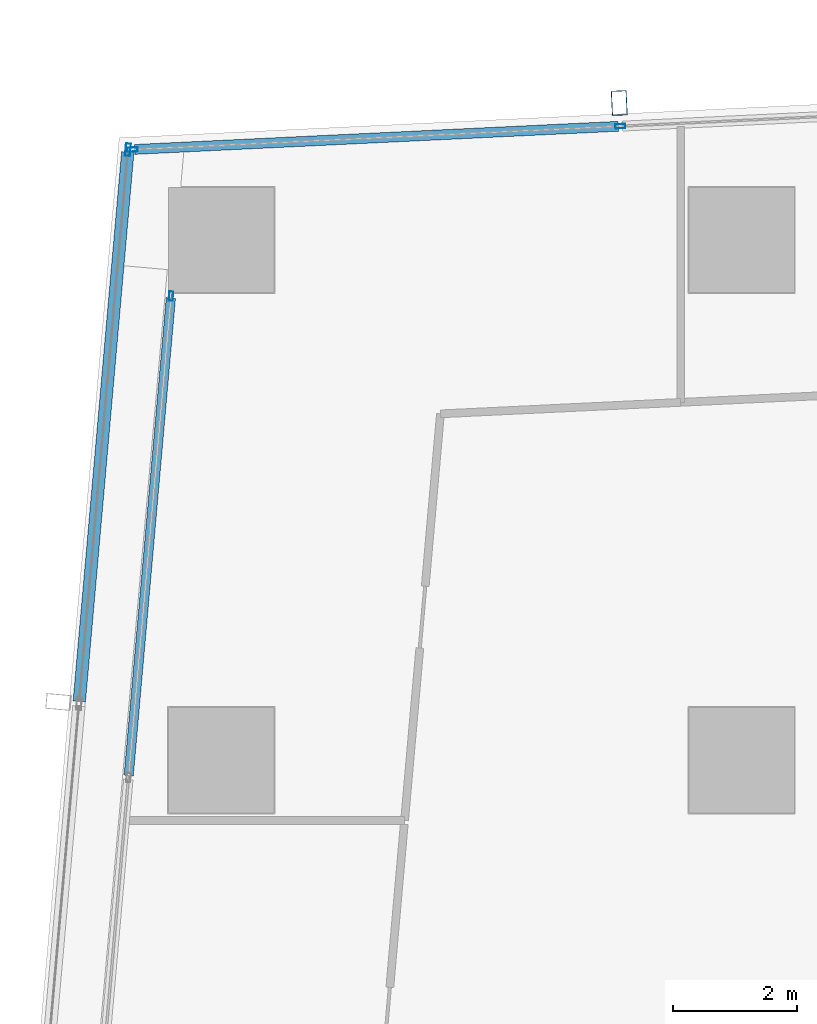
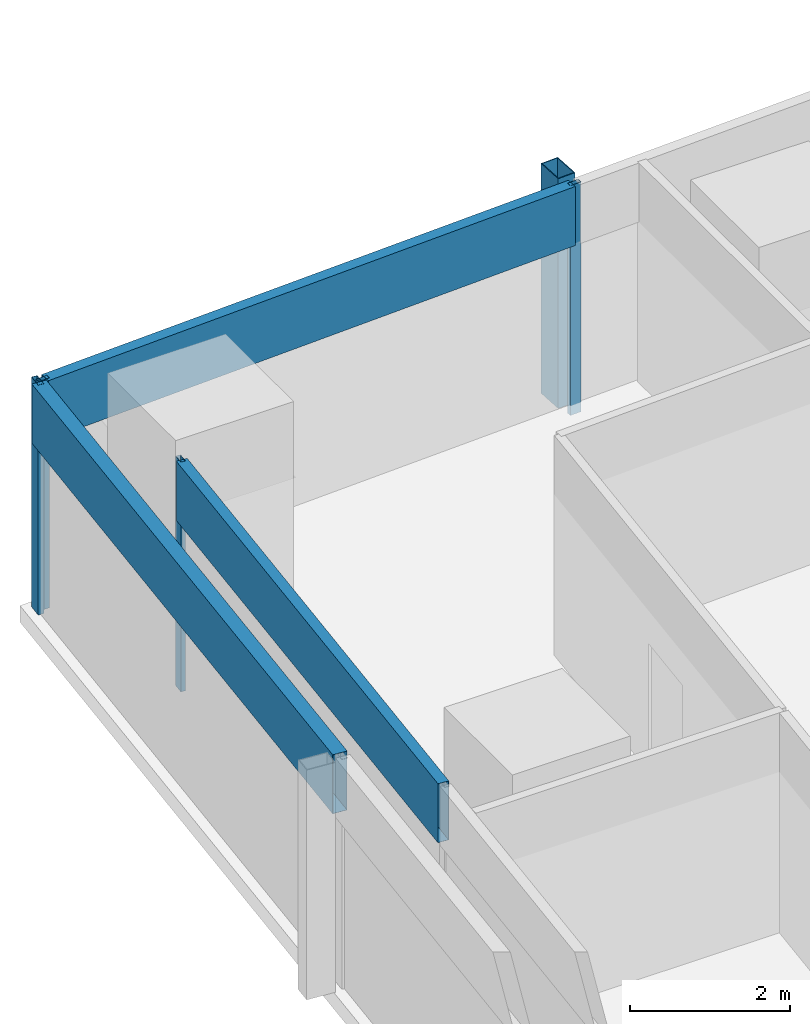
# One storey, part 17 of 39: 8 members, 3 elements without a shape of their own.
"""IFC4 building model written with IfcOpenShell, lengths in metres."""

import ifcopenshell
import ifcopenshell.guid

model = None  # the IFC model being written
_history = None  # IfcOwnerHistory: only IFC2X3 demands one
_inside = {}  # id of a spatial element -> (the spatial element, [elements in it])
_under = {}  # id of a project, library or spatial element -> (it, [spatial elements below it])
_declared = {}  # id of a project -> (the project, [libraries it declares])
_typed = {}  # id of a type object -> (the type object, [elements of that type])
_made_of = {}  # id of a material, layer set ... -> (it, [elements and type objects made of it])


def new_model(schema):
    """Start an empty IFC model of exactly this schema.

    Asked for "IFC4X3", IfcOpenShell would pick the latest addendum, in which some entities
    have other attributes; the version numbers below select the first issue.
    IFC2X3 requires an IfcOwnerHistory on every rooted entity: one is made here for all.
    """
    global model, _history
    if schema == "IFC4X3":
        model = ifcopenshell.file(schema_version=(4, 3, 0, 0))
    else:
        model = ifcopenshell.file(schema=schema)
    _inside.clear()
    _under.clear()
    _declared.clear()
    _typed.clear()
    _made_of.clear()
    _history = None
    if model.schema == "IFC2X3":
        org = make("IfcOrganization", Name="unknown")
        user = make(
            "IfcPersonAndOrganization",
            ThePerson=make("IfcPerson", FamilyName="unknown"),
            TheOrganization=org,
        )
        app = make(
            "IfcApplication",
            ApplicationDeveloper=org,
            Version="unknown",
            ApplicationFullName="unknown",
            ApplicationIdentifier="unknown",
        )
        _history = make(
            "IfcOwnerHistory",
            OwningUser=user,
            OwningApplication=app,
            ChangeAction="ADDED",
            CreationDate=0,
        )
    return model


def make(cls, **values):
    """One entity of the class cls with the attributes given. An attribute that is None is left unset."""
    return model.create_entity(
        cls, **{name: value for name, value in values.items() if value is not None}
    )


def rooted(cls, **values):
    """An entity with a GlobalId (a new one), such as an element, a storey or a relation."""
    return make(cls, GlobalId=ifcopenshell.guid.new(), OwnerHistory=_history, **values)


def si_unit(unit_type, name, prefix=None):
    """IfcSIUnit, for example si_unit("LENGTHUNIT", "METRE", prefix="MILLI")."""
    return make("IfcSIUnit", UnitType=unit_type, Prefix=prefix, Name=name)


def assignment(units):
    """IfcUnitAssignment: the units of a project."""
    return None if units is None else make("IfcUnitAssignment", Units=units)


def point(xyz):
    """IfcCartesianPoint."""
    return None if xyz is None else make("IfcCartesianPoint", Coordinates=xyz)


def direction(xyz):
    """IfcDirection."""
    return None if xyz is None else make("IfcDirection", DirectionRatios=xyz)


def frame(location, z_axis=None, x_axis=None):
    """IfcAxis2Placement3D, a coordinate frame: its origin and axes. An axis left out is left unset."""
    return make(
        "IfcAxis2Placement3D",
        Location=point(location),
        Axis=direction(z_axis),
        RefDirection=direction(x_axis),
    )


def frame_2d(location, x_axis=None):
    """IfcAxis2Placement2D, a coordinate frame in the plane: its origin and x axis."""
    return make(
        "IfcAxis2Placement2D", Location=point(location), RefDirection=direction(x_axis)
    )


def origin():
    """The frame at (0, 0, 0) with its axes left unset."""
    return frame((0.0, 0.0, 0.0))


def origin_2d():
    """The frame at (0, 0) in the plane with its x axis left unset."""
    return frame_2d((0.0, 0.0))


def place(relative_to, where):
    """IfcLocalPlacement: puts the frame where relative to a parent placement (None: the world)."""
    return make(
        "IfcLocalPlacement", PlacementRelTo=relative_to, RelativePlacement=where
    )


def context(
    kind, dimensions, precision=None, world=None, true_north=None, identifier=None
):
    """IfcGeometricRepresentationContext, for example the 3D "Model" context."""
    return make(
        "IfcGeometricRepresentationContext",
        ContextIdentifier=identifier,
        ContextType=kind,
        CoordinateSpaceDimension=dimensions,
        Precision=precision,
        WorldCoordinateSystem=world,
        TrueNorth=true_north,
    )


def subcontext(parent, identifier, kind, view, scale=None):
    """IfcGeometricRepresentationSubContext, for example "Body" below "Model"."""
    return make(
        "IfcGeometricRepresentationSubContext",
        ContextIdentifier=identifier,
        ContextType=kind,
        ParentContext=parent,
        TargetScale=scale,
        TargetView=view,
    )


def project(units=None, contexts=None):
    """IfcProject with its units and contexts."""
    return rooted(
        "IfcProject",
        Name="project",
        RepresentationContexts=contexts,
        UnitsInContext=assignment(units),
    )


def spatial(cls, under=None, at=None, **own):
    """A site, building, storey or space (cls), placed at a placement, below another one or the project."""
    s = rooted(cls, ObjectPlacement=at, **own)
    if under is not None:
        _under.setdefault(under.id(), (under, []))[1].append(s)
    return s


def profile(cls, at=None, kind="AREA", **sizes):
    """A parametric profile (cls). Its sizes go by their IFC names, for example OverallWidth=200.0."""
    return make(cls, ProfileType=kind, Position=at, **sizes)


def hollow_rectangle(**sizes):
    """IfcRectangleHollowProfileDef."""
    return profile("IfcRectangleHollowProfileDef", **sizes)


def extrude(swept, where, along, depth):
    """IfcExtrudedAreaSolid: the profile swept, set in the frame where, extruded along a direction by depth."""
    return make(
        "IfcExtrudedAreaSolid",
        SweptArea=swept,
        Position=where,
        ExtrudedDirection=direction(along),
        Depth=depth,
    )


def shape(context_of_items, identifier, shape_type, items):
    """IfcShapeRepresentation: the items that make up one representation, for example the "Body"."""
    return make(
        "IfcShapeRepresentation",
        ContextOfItems=context_of_items,
        RepresentationIdentifier=identifier,
        RepresentationType=shape_type,
        Items=items,
    )


def material(Name=None, Category=None):
    """IfcMaterial."""
    return make("IfcMaterial", Name=Name, Category=Category)


def material_profile(
    of_material, cross_section, Name=None, Category=None, Priority=None
):
    """IfcMaterialProfile: a cross section and its material."""
    return make(
        "IfcMaterialProfile",
        Name=Name,
        Material=of_material,
        Profile=cross_section,
        Priority=Priority,
        Category=Category,
    )


def profile_set(profiles, Name=None, composite=None):
    """IfcMaterialProfileSet."""
    return make(
        "IfcMaterialProfileSet",
        Name=Name,
        MaterialProfiles=profiles,
        CompositeProfile=composite,
    )


def made_of(thing, what):
    """Note that an element or type object is made of a material, layer set ...; save() writes the relation."""
    if what is not None:
        _made_of.setdefault(what.id(), (what, []))[1].append(thing)
    return thing


def type_object(cls, material=None, **own):
    """A type object (cls), such as IfcWallType, which elements share."""
    return made_of(rooted(cls, **own), material)


def element(
    cls,
    number,
    at=None,
    inside=None,
    cuts=None,
    type_object=None,
    material=None,
    context=None,
    identifier="Body",
    shape_type=None,
    held_by="IfcProductDefinitionShape",
    body=None,
    shapes=None,
    **own,
):
    """One element of the class cls, such as IfcWall. Its Tag is "e" and its number.

    at: its placement. inside: the storey or other place that contains it. cuts: it is an
    opening in that element (IfcRelVoidsElement). A single representation is given by context,
    identifier, shape_type and body (its items); several are given by shapes. held_by: the class
    of the entity that holds the representations. save() writes the other relations.
    """
    e = rooted(cls, Tag="e%d" % number, ObjectPlacement=at, **own)
    if body is not None:
        shapes = [shape(context, identifier, shape_type, body)]
    if shapes is not None:
        e.Representation = make(held_by, Representations=shapes)
    if inside is not None:
        _inside.setdefault(inside.id(), (inside, []))[1].append(e)
    if cuts is not None:
        rooted(
            "IfcRelVoidsElement", RelatingBuildingElement=cuts, RelatedOpeningElement=e
        )
    if type_object is not None:
        _typed.setdefault(type_object.id(), (type_object, []))[1].append(e)
    return made_of(e, material)


def aggregate(whole, parts):
    """IfcRelAggregates: a whole, such as a stair, and the parts it consists of."""
    return rooted("IfcRelAggregates", RelatingObject=whole, RelatedObjects=parts)


def save(model, path):
    """Write the relations noted so far, then the file.

    IfcRelAggregates (storeys below a building ...), IfcRelContainedInSpatialStructure (elements
    in a storey), IfcRelDefinesByType, IfcRelAssociatesMaterial and IfcRelDeclares: one each for
    every whole, place, type object, material and project.
    """
    for whole, parts in _under.values():
        aggregate(whole, parts)
    for where, things in _inside.values():
        rooted(
            "IfcRelContainedInSpatialStructure",
            RelatedElements=things,
            RelatingStructure=where,
        )
    for kind, things in _typed.values():
        rooted("IfcRelDefinesByType", RelatedObjects=things, RelatingType=kind)
    for what, things in _made_of.values():
        rooted("IfcRelAssociatesMaterial", RelatedObjects=things, RelatingMaterial=what)
    for by, libraries in _declared.values():
        rooted("IfcRelDeclares", RelatingContext=by, RelatedDefinitions=libraries)
    model.write(path)


model = new_model("IFC4")

# Units and contexts
model_context = context("Model", 3, precision=1e-05, world=origin(), true_north=direction((0.0, 1.0)))
body_context = subcontext(model_context, "Body", "Model", "MODEL_VIEW")
ifc_project = project(units=[si_unit("LENGTHUNIT", "METRE"), si_unit("AREAUNIT", "SQUARE_METRE"), si_unit("VOLUMEUNIT", "CUBIC_METRE"), si_unit("PLANEANGLEUNIT", "RADIAN"), si_unit("MASSUNIT", "GRAM", prefix="KILO")], contexts=[model_context])

# Site, building, storey
site_placement = place(None, origin())
site = spatial("IfcSite", under=ifc_project, at=site_placement, CompositionType="ELEMENT")
building_placement = place(site_placement, origin())
building = spatial("IfcBuilding", under=site, at=building_placement, Name="Rekha Terrace Tower", CompositionType="ELEMENT")
storey_placement = place(building_placement, frame((0.0, 0.0, 180.199951171875)))
storey = spatial("IfcBuildingStorey", under=building, at=storey_placement, Name="L45", CompositionType="ELEMENT", Elevation=180.199951171875)

# Curtain wall, member
ifc_material_1 = material(Name="Aluminium framing", Category="aluminium")
curtain_wall_type_1 = type_object("IfcCurtainWallType", Name="CW3 north unitised glazing", PredefinedType="USERDEFINED", material=ifc_material_1)
curtain_wall_1_placement = place(storey_placement, origin())
curtain_wall_1 = element("IfcCurtainWall", 1, at=curtain_wall_1_placement, inside=storey, type_object=curtain_wall_type_1, Name="CW3 unitised curtain wall", ObjectType="UNITISED CURTAIN WALL", PredefinedType="USERDEFINED")
ifc_material_2 = material(Name="Steel S355 with fluorocarbon finish", Category="steel")
ifc_material_profile_1 = material_profile(ifc_material_2, hollow_rectangle(XDim=0.25, YDim=0.39990234375, WallThickness=0.012451171875, at=origin_2d()), Name="RHS400x250x12.5")
ifc_profile_set_1 = profile_set([ifc_material_profile_1], Name="Steel S355 with fluorocarbon finish")
member_type_1 = type_object("IfcMemberType", Name="BL1 facade blade RHS 400 x 250", PredefinedType="USERDEFINED", material=ifc_profile_set_1)
member_1_placement = place(storey_placement, frame((14.824951171875, 61.01123046875, 0.0), z_axis=(0.0, 0.0, 1.0), x_axis=(-0.998858913274, -0.04775846913, 0.0)))
member_1 = element("IfcMember", 2, at=member_1_placement, type_object=member_type_1, Name="Facade blade", ObjectType="FACADE BLADE", PredefinedType="USERDEFINED", context=body_context, shape_type="SweptSolid", body=[
    extrude(hollow_rectangle(XDim=0.25, YDim=0.39990234375, WallThickness=0.012451171875, at=origin_2d()), origin(), (0.0, 0.0, 1.0), 3.5),
])

# Curtain wall, members
curtain_wall_type_2 = type_object("IfcCurtainWallType", Name="CW1 double skin inner glazing", PredefinedType="USERDEFINED", material=ifc_material_1)
curtain_wall_2_placement = place(storey_placement, origin())
curtain_wall_2 = element("IfcCurtainWall", 3, at=curtain_wall_2_placement, inside=storey, type_object=curtain_wall_type_2, Name="CW1 double skin inner glazing", ObjectType="DOUBLE SKIN INNER GLAZING", PredefinedType="USERDEFINED")
ifc_material_3 = material(Name="Aluminium mullion section", Category="aluminium")
ifc_material_profile_2 = material_profile(ifc_material_3, hollow_rectangle(XDim=0.06494140625, YDim=0.14990234375, WallThickness=0.00390625, at=origin_2d()), Name="AL RHS 65x150")
ifc_profile_set_2 = profile_set([ifc_material_profile_2], Name="Aluminium mullion section")
member_type_2 = type_object("IfcMemberType", Name="CW1 mullion RHS 65 x 150", PredefinedType="MULLION", material=ifc_profile_set_2)
member_2_placement = place(storey_placement, frame((7.58837890625, 57.893798828125, 0.0), z_axis=(0.0, 0.0, 1.0), x_axis=(0.996124185425, -0.087957985488, 0.0)))
member_2 = element("IfcMember", 4, at=member_2_placement, type_object=member_type_2, Name="CW1 mullion 1", PredefinedType="MULLION", context=body_context, shape_type="SweptSolid", body=[
    extrude(hollow_rectangle(XDim=0.06494140625, YDim=0.14990234375, WallThickness=0.00390625, at=origin_2d()), origin(), (0.0, 0.0, 1.0), 3.5),
])
ifc_material_4 = material(Name="Insulated aluminium spandrel box", Category="aluminium")
ifc_material_profile_3 = material_profile(ifc_material_4, hollow_rectangle(XDim=0.14990234375, YDim=0.89990234375, WallThickness=0.0029296875, at=origin_2d()), Name="AL SPANDREL BOX 150x900")
ifc_profile_set_3 = profile_set([ifc_material_profile_3], Name="Insulated aluminium spandrel box")
member_type_3 = type_object("IfcMemberType", Name="CW1 spandrel transom 150 x 900", PredefinedType="USERDEFINED", material=ifc_profile_set_3)
member_3_placement = place(storey_placement, frame((7.58544921875, 57.861572265625, 3.050048828125), z_axis=(-0.087955497748, -0.99612440509, 0.0), x_axis=(0.99612440509, -0.087955497748, 0.0)))
member_3 = element("IfcMember", 5, at=member_3_placement, type_object=member_type_3, Name="CW1 spandrel transom 1", ObjectType="TRANSOM", PredefinedType="USERDEFINED", context=body_context, shape_type="SweptSolid", body=[
    extrude(hollow_rectangle(XDim=0.14990234375, YDim=0.89990234375, WallThickness=0.0029296875, at=origin_2d()), origin(), (0.0, 0.0, 1.0), 7.73876953125),
])
aggregate(curtain_wall_2, [member_2, member_3])

curtain_wall_type_3 = type_object("IfcCurtainWallType", Name="CW2 double skin outer glazing", PredefinedType="USERDEFINED", material=ifc_material_1)
curtain_wall_3_placement = place(storey_placement, origin())
curtain_wall_3 = element("IfcCurtainWall", 6, at=curtain_wall_3_placement, inside=storey, type_object=curtain_wall_type_3, Name="CW2 double skin outer glazing", ObjectType="DOUBLE SKIN OUTER GLAZING", PredefinedType="USERDEFINED")
ifc_material_profile_4 = material_profile(ifc_material_3, hollow_rectangle(XDim=0.080078125, YDim=0.199951171875, WallThickness=0.00390625, at=origin_2d()), Name="AL RHS 80x200")
ifc_profile_set_4 = profile_set([ifc_material_profile_4], Name="Aluminium mullion section")
member_type_4 = type_object("IfcMemberType", Name="CW2 mullion RHS 80 x 200", PredefinedType="MULLION", material=ifc_profile_set_4)
member_4_placement = place(storey_placement, frame((6.8935546875, 60.257080078125, 0.0), z_axis=(0.0, 0.0, 1.0), x_axis=(0.996124185428, -0.087957985453, 0.0)))
member_4 = element("IfcMember", 7, at=member_4_placement, type_object=member_type_4, Name="CW2 mullion 1", PredefinedType="MULLION", context=body_context, shape_type="SweptSolid", body=[
    extrude(hollow_rectangle(XDim=0.080078125, YDim=0.199951171875, WallThickness=0.00390625, at=origin_2d()), origin(), (0.0, 0.0, 1.0), 3.5),
])
ifc_material_profile_5 = material_profile(ifc_material_4, hollow_rectangle(XDim=0.199951171875, YDim=0.89990234375, WallThickness=0.0029296875, at=origin_2d()), Name="AL SPANDREL BOX 200x900")
ifc_profile_set_5 = profile_set([ifc_material_profile_5], Name="Insulated aluminium spandrel box")
member_type_5 = type_object("IfcMemberType", Name="CW2 spandrel transom 200 x 900", PredefinedType="USERDEFINED", material=ifc_profile_set_5)
member_5_placement = place(storey_placement, frame((6.89013671875, 60.217041015625, 3.050048828125), z_axis=(-0.08797787529, -0.996122428951, 0.0), x_axis=(0.996122428951, -0.08797787529, 0.0)))
member_5 = element("IfcMember", 8, at=member_5_placement, type_object=member_type_5, Name="CW2 spandrel transom 1", ObjectType="TRANSOM", PredefinedType="USERDEFINED", context=body_context, shape_type="SweptSolid", body=[
    extrude(hollow_rectangle(XDim=0.199951171875, YDim=0.89990234375, WallThickness=0.0029296875, at=origin_2d()), origin(), (0.0, 0.0, 1.0), 8.8994140625),
])
aggregate(curtain_wall_3, [member_4, member_5])

# Member
ifc_material_profile_6 = material_profile(ifc_material_3, hollow_rectangle(XDim=0.070068359375, YDim=0.159912109375, WallThickness=0.00390625, at=origin_2d()), Name="AL RHS 70x160")
ifc_profile_set_6 = profile_set([ifc_material_profile_6], Name="Aluminium mullion section")
member_type_6 = type_object("IfcMemberType", Name="CW3 mullion RHS 70 x 160", PredefinedType="MULLION", material=ifc_profile_set_6)
member_6_placement = place(storey_placement, frame((14.843017578125, 60.63671875, 0.0), z_axis=(0.0, 0.0, 1.0), x_axis=(0.047758616983, -0.998858906204, 0.0)))
member_6 = element("IfcMember", 9, at=member_6_placement, type_object=member_type_6, Name="CW3 mullion 5", PredefinedType="MULLION", context=body_context, shape_type="SweptSolid", body=[
    extrude(hollow_rectangle(XDim=0.070068359375, YDim=0.159912109375, WallThickness=0.00390625, at=origin_2d()), origin(), (0.0, 0.0, 1.0), 3.5),
])

member_7_placement = place(storey_placement, frame((6.96875, 60.26025390625, 0.0), z_axis=(0.0, 0.0, 1.0), x_axis=(0.047758616983, -0.998858906204, 0.0)))
member_7 = element("IfcMember", 10, at=member_7_placement, type_object=member_type_6, Name="CW3 mullion 6", PredefinedType="MULLION", context=body_context, shape_type="SweptSolid", body=[
    extrude(hollow_rectangle(XDim=0.070068359375, YDim=0.159912109375, WallThickness=0.00390625, at=origin_2d()), origin(), (0.0, 0.0, 1.0), 3.5),
])

ifc_material_profile_7 = material_profile(ifc_material_4, hollow_rectangle(XDim=0.159912109375, YDim=0.89990234375, WallThickness=0.0029296875, at=origin_2d()), Name="AL SPANDREL BOX 160x900")
ifc_profile_set_7 = profile_set([ifc_material_profile_7], Name="Insulated aluminium spandrel box")
member_type_7 = type_object("IfcMemberType", Name="CW3 spandrel transom 160 x 900", PredefinedType="USERDEFINED", material=ifc_profile_set_7)
member_8_placement = place(storey_placement, frame((14.807861328125, 60.635009765625, 3.050048828125), z_axis=(-0.998859425172, -0.047747761666, 0.0), x_axis=(0.047747761666, -0.998859425172, 0.0)))
member_8 = element("IfcMember", 11, at=member_8_placement, type_object=member_type_7, Name="CW3 spandrel transom 5", ObjectType="TRANSOM", PredefinedType="USERDEFINED", context=body_context, shape_type="SweptSolid", body=[
    extrude(hollow_rectangle(XDim=0.159912109375, YDim=0.89990234375, WallThickness=0.0029296875, at=origin_2d()), origin(), (0.0, 0.0, 1.0), 7.81298828125),
])

aggregate(curtain_wall_1, [member_6, member_7, member_8, member_1])

save(model, "model.ifc")
